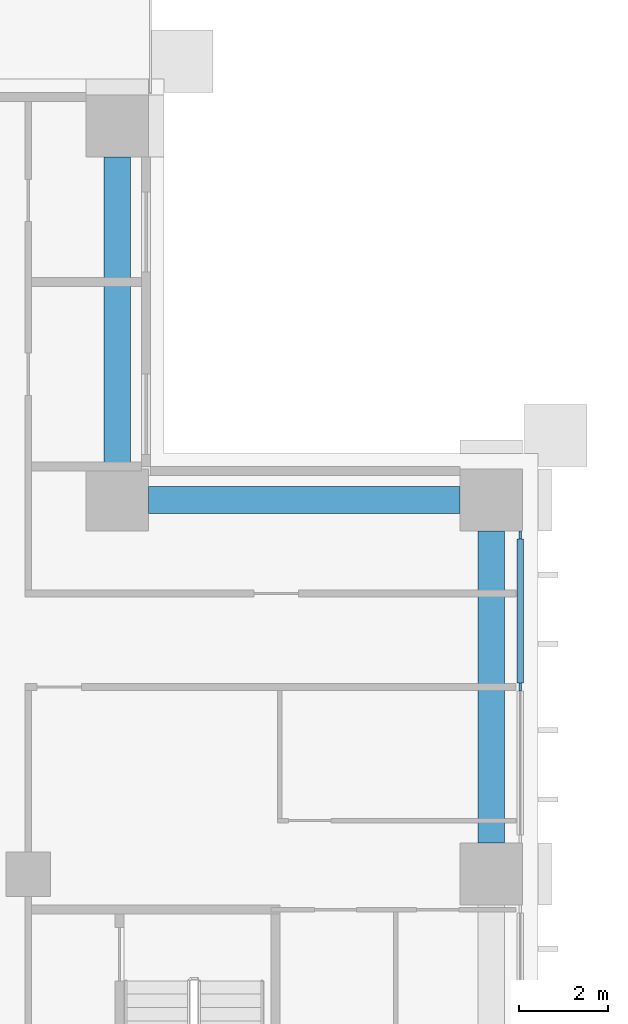
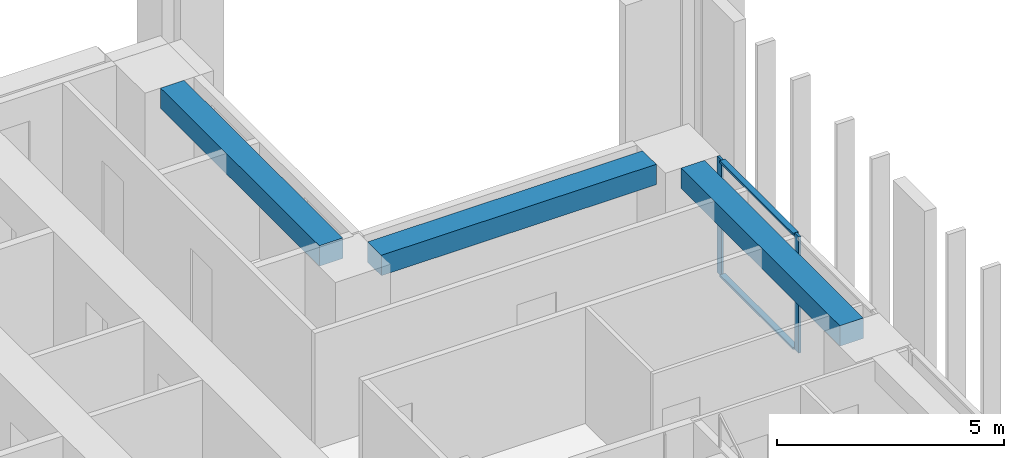
# One storey, part 6 of 19: 4 members, 3 beams, 1 element without a shape of its own.
"""IFC4 building model written with IfcOpenShell, lengths in metres."""

from ifc_helpers import new_model, si_unit, direction, frame, origin, origin_2d, place, context, subcontext, project, spatial, rectangle, extrude, material, material_profile, profile_set, type_object, element, aggregate, save


model = new_model("IFC4")

# Units and contexts
model_context = context("Model", 3, precision=1e-05, world=origin(), true_north=direction((0.0, 1.0)))
body_context = subcontext(model_context, "Body", "Model", "MODEL_VIEW")
ifc_project = project(units=[si_unit("LENGTHUNIT", "METRE"), si_unit("AREAUNIT", "SQUARE_METRE"), si_unit("VOLUMEUNIT", "CUBIC_METRE"), si_unit("PLANEANGLEUNIT", "RADIAN"), si_unit("MASSUNIT", "GRAM", prefix="KILO")], contexts=[model_context])

# Site, building, storey
site_placement = place(None, origin())
site = spatial("IfcSite", under=ifc_project, at=site_placement, CompositionType="ELEMENT")
building_placement = place(site_placement, origin())
building = spatial("IfcBuilding", under=site, at=building_placement, Name="Vermilion Ogive Tower", CompositionType="ELEMENT")
storey_placement = place(building_placement, frame((0.0, 0.0, 62.10009765625)))
storey = spatial("IfcBuildingStorey", under=building, at=storey_placement, Name="L14", CompositionType="ELEMENT", Elevation=62.10009765625)

# Curtain wall, members
ifc_material_1 = material(Name="Low-iron laminated glazing in aluminium frame", Category="aluminium")
curtain_wall_type = type_object("IfcCurtainWallType", Name="Curtain wall CW7", PredefinedType="NOTDEFINED", material=ifc_material_1)
curtain_wall_placement = place(storey_placement, origin())
curtain_wall = element("IfcCurtainWall", 1, at=curtain_wall_placement, inside=storey, type_object=curtain_wall_type, Name="Glazed skin E3", PredefinedType="NOTDEFINED")
ifc_material_2 = material(Name="Aluminium mullion", Category="aluminium")
ifc_material_profile_1 = material_profile(ifc_material_2, rectangle(XDim=0.06005859375, YDim=0.179931640625, at=origin_2d()), Name="AL 60x180")
ifc_profile_set_1 = profile_set([ifc_material_profile_1], Name="Aluminium mullion")
member_type_1 = type_object("IfcMemberType", Name="CW7 mullion 60x180", PredefinedType="MULLION", material=ifc_profile_set_1)
member_1_placement = place(storey_placement, frame((25.85009765625, 8.39990234375, 0.0), z_axis=(0.0, 0.0, 1.0), x_axis=(-1.0, 0.0, 0.0)))
member_1 = element("IfcMember", 2, at=member_1_placement, type_object=member_type_1, Name="CW7-E3 mullion 2", PredefinedType="MULLION", context=body_context, shape_type="SweptSolid", body=[
    extrude(rectangle(XDim=0.06005859375, YDim=0.179931640625, at=origin_2d()), origin(), (0.0, 0.0, 1.0), 3.1298828125),
])
member_2_placement = place(storey_placement, frame((25.85009765625, 11.81005859375, 0.0), z_axis=(0.0, 0.0, 1.0), x_axis=(-1.0, 0.0, 0.0)))
member_2 = element("IfcMember", 3, at=member_2_placement, type_object=member_type_1, Name="CW7-E3 mullion 3", PredefinedType="MULLION", context=body_context, shape_type="SweptSolid", body=[
    extrude(rectangle(XDim=0.06005859375, YDim=0.179931640625, at=origin_2d()), origin(), (0.0, 0.0, 1.0), 3.1298828125),
])
ifc_material_3 = material(Name="Aluminium transom", Category="aluminium")
ifc_material_profile_2 = material_profile(ifc_material_3, rectangle(XDim=0.139892578125, YDim=0.06005859375, at=origin_2d()), Name="AL 60x140")
ifc_profile_set_2 = profile_set([ifc_material_profile_2], Name="Aluminium transom")
member_type_2 = type_object("IfcMemberType", Name="CW7 transom 60x140", PredefinedType="USERDEFINED", material=ifc_profile_set_2)
member_3_placement = place(storey_placement, frame((25.85009765625, 8.489990234375, 0.02978515625), z_axis=(0.0, 1.0, 0.0), x_axis=(-1.0, 0.0, 0.0)))
member_3 = element("IfcMember", 4, at=member_3_placement, type_object=member_type_2, Name="CW7-E3 transom 2.1", ObjectType="TRANSOM", PredefinedType="USERDEFINED", context=body_context, shape_type="SweptSolid", body=[
    extrude(rectangle(XDim=0.139892578125, YDim=0.06005859375, at=origin_2d()), origin(), (0.0, 0.0, 1.0), 3.22998046875),
])
member_4_placement = place(storey_placement, frame((25.85009765625, 8.489990234375, 3.099853515625), z_axis=(0.0, 1.0, 0.0), x_axis=(-1.0, 0.0, 0.0)))
member_4 = element("IfcMember", 5, at=member_4_placement, type_object=member_type_2, Name="CW7-E3 transom 2.2", ObjectType="TRANSOM", PredefinedType="USERDEFINED", context=body_context, shape_type="SweptSolid", body=[
    extrude(rectangle(XDim=0.139892578125, YDim=0.06005859375, at=origin_2d()), origin(), (0.0, 0.0, 1.0), 3.22998046875),
])
aggregate(curtain_wall, [member_1, member_2, member_3, member_4])

# Beams
ifc_material_4 = material(Name="Concrete B45", Category="concrete")
ifc_material_profile_3 = material_profile(ifc_material_4, rectangle(XDim=0.60009765625, YDim=0.550048828125, at=origin_2d()), Name="600 x 550")
ifc_profile_set_3 = profile_set([ifc_material_profile_3], Name="Concrete B45")
beam_type = type_object("IfcBeamType", Name="Edge beam 600 x 550 B45", PredefinedType="BEAM", material=ifc_profile_set_3)
for number, where, z_axis, x_axis, name in (
    (6, (25.199951171875, 4.89990234375, 2.85498046875), (0.0, 1.0, 0.0), (-1.0, 0.0, 0.0), "L14-EB-9"),
    (7, (24.5, 12.60009765625, 2.85498046875), (-1.0, 0.0, 0.0), (0.0, -1.0, 0.0), "L14-EB-10"),
    (8, (16.800048828125, 13.300048828125, 2.85498046875), (0.0, 1.0, 0.0), (-1.0, 0.0, 0.0), "L14-EB-11"),
):
    element("IfcBeam", number, at=place(storey_placement, frame(where, z_axis=z_axis, x_axis=x_axis)), inside=storey, type_object=beam_type, Name=name, PredefinedType="BEAM", context=body_context, shape_type="SweptSolid", body=[
        extrude(rectangle(XDim=0.60009765625, YDim=0.550048828125, at=origin_2d()), origin(), (0.0, 0.0, 1.0), 7.0),
    ])

save(model, "model.ifc")
